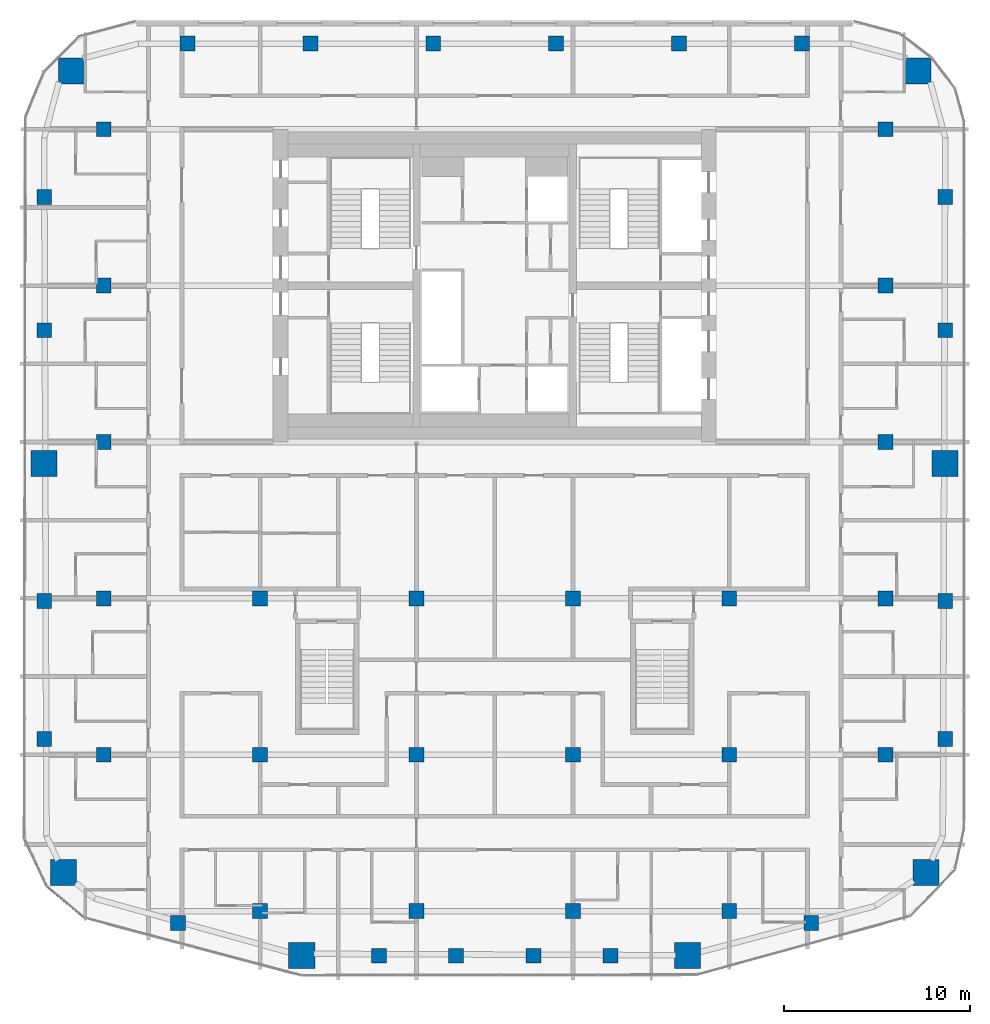
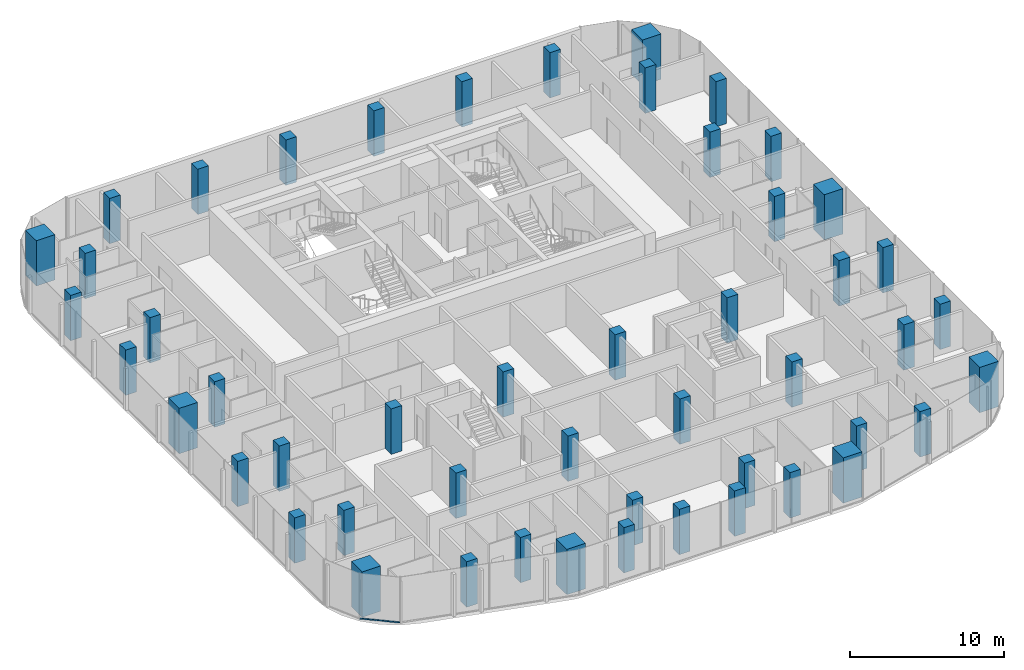
# One storey, part 1 of 22: 50 columns, 1 member, 1 element without a shape of its own.
"""IFC4 building model written with IfcOpenShell, lengths in metres."""

from ifc_helpers import new_model, si_unit, direction, frame, origin, origin_2d, place, context, subcontext, project, spatial, rectangle, extrude, material, layer, layer_set, material_profile, profile_set, type_object, element, aggregate, save


model = new_model("IFC4")

# Units and contexts
model_context = context("Model", 3, precision=1e-05, world=origin(), true_north=direction((0.0, 1.0)))
body_context = subcontext(model_context, "Body", "Model", "MODEL_VIEW")
ifc_project = project(units=[si_unit("LENGTHUNIT", "METRE"), si_unit("AREAUNIT", "SQUARE_METRE"), si_unit("VOLUMEUNIT", "CUBIC_METRE"), si_unit("PLANEANGLEUNIT", "RADIAN"), si_unit("MASSUNIT", "GRAM", prefix="KILO")], contexts=[model_context])

# Site, building, storey
site_placement = place(None, origin())
site = spatial("IfcSite", under=ifc_project, at=site_placement, CompositionType="ELEMENT")
building_placement = place(site_placement, origin())
building = spatial("IfcBuilding", under=site, at=building_placement, Name="Marenta Gate Hotel Tower", CompositionType="ELEMENT")
storey_placement = place(building_placement, frame((0.0, 0.0, 187.699951171875)))
storey = spatial("IfcBuildingStorey", under=building, at=storey_placement, Name="L42", CompositionType="ELEMENT", Elevation=187.699951171875)

# Columns
ifc_material_1 = material(Name="Concrete C60", Category="concrete")
ifc_material_profile_1 = material_profile(ifc_material_1, rectangle(XDim=0.800048828125, YDim=0.800048828125, at=origin_2d()), Name="800 x 800")
ifc_profile_set_1 = profile_set([ifc_material_profile_1], Name="Concrete C60")
column_type_1 = type_object("IfcColumnType", Name="Edge column 800 x 800 C60", PredefinedType="COLUMN", material=ifc_profile_set_1)
for number, where, z_axis, x_axis, name in (
    (1, (-24.199951171875, -15.951904296875, 0.0), (0.0, 0.0, 1.0), (1.0, 0.0, 0.0), "L42-EC-SW-W-1"),
    (2, (-24.199951171875, -8.55078125, 0.0), (0.0, 0.0, 1.0), (1.0, 0.0, 0.0), "L42-EC-SW-W-2"),
    (3, (-24.199951171875, 6.003173828125, 0.0), (0.0, 0.0, 1.0), (1.0, 0.0, 0.0), "L42-EC-W-NW-1"),
    (4, (-24.199951171875, 13.156494140625, 0.0), (0.0, 0.0, 1.0), (1.0, 0.0, 0.0), "L42-EC-W-NW-2"),
    (5, (-16.5068359375, 21.39990234375, 0.0), (0.0, 0.0, 1.0), (1.0, 0.0, 0.0), "L42-EC-NW-NE-1"),
    (6, (-9.904052734375, 21.39990234375, 0.0), (0.0, 0.0, 1.0), (1.0, 0.0, 0.0), "L42-EC-NW-NE-2"),
    (7, (-3.301513671875, 21.39990234375, 0.0), (0.0, 0.0, 1.0), (1.0, 0.0, 0.0), "L42-EC-NW-NE-3"),
    (8, (3.301513671875, 21.39990234375, 0.0), (0.0, 0.0, 1.0), (1.0, 0.0, 0.0), "L42-EC-NW-NE-4"),
    (9, (9.904052734375, 21.39990234375, 0.0), (0.0, 0.0, 1.0), (1.0, 0.0, 0.0), "L42-EC-NW-NE-5"),
    (10, (16.5068359375, 21.39990234375, 0.0), (0.0, 0.0, 1.0), (1.0, 0.0, 0.0), "L42-EC-NW-NE-6"),
    (11, (24.199951171875, 13.156494140625, 0.0), (0.0, 0.0, 1.0), (1.0, 0.0, 0.0), "L42-EC-NE-E-1"),
    (12, (24.199951171875, 6.003173828125, 0.0), (0.0, 0.0, 1.0), (1.0, 0.0, 0.0), "L42-EC-NE-E-2"),
    (13, (24.199951171875, -8.55078125, 0.0), (0.0, 0.0, 1.0), (1.0, 0.0, 0.0), "L42-EC-E-SE-1"),
    (14, (24.199951171875, -15.951904296875, 0.0), (0.0, 0.0, 1.0), (1.0, 0.0, 0.0), "L42-EC-E-SE-2"),
    (15, (17.0068359375, -25.839111328125, 0.0), (0.0, 0.0, 1.0), (1.0, 0.0, 0.0), "L42-EC-SE-SKE-1"),
    (16, (6.22021484375, -27.60009765625, 0.0), (0.0, 0.0, 1.0), (1.0, 0.0, 0.0), "L42-EC-SKE-SKW-1"),
    (17, (2.073486328125, -27.60009765625, 0.0), (0.0, 0.0, 1.0), (1.0, 0.0, 0.0), "L42-EC-SKE-SKW-2"),
    (18, (-2.073486328125, -27.60009765625, 0.0), (0.0, 0.0, 1.0), (1.0, 0.0, 0.0), "L42-EC-SKE-SKW-3"),
    (19, (-6.22021484375, -27.60009765625, 0.0), (0.0, 0.0, 1.0), (1.0, 0.0, 0.0), "L42-EC-SKE-SKW-4"),
    (20, (-17.0068359375, -25.839111328125, 0.0), (0.0, 0.0, 1.0), (1.0, 0.0, 0.0), "L42-EC-SKW-SW-1"),
):
    element("IfcColumn", number, at=place(storey_placement, frame(where, z_axis=z_axis, x_axis=x_axis)), inside=storey, type_object=column_type_1, Name=name, PredefinedType="COLUMN", context=body_context, shape_type="SweptSolid", body=[
        extrude(rectangle(XDim=0.800048828125, YDim=0.800048828125, at=origin_2d()), origin(), (0.0, 0.0, 1.0), 3.60009765625),
    ])
ifc_material_2 = material(Name="Concrete C60", Category="concrete")
ifc_material_profile_2 = material_profile(ifc_material_2, rectangle(XDim=0.800048828125, YDim=0.800048828125, at=origin_2d()), Name="800 x 800")
ifc_profile_set_2 = profile_set([ifc_material_profile_2], Name="Concrete C60")
column_type_2 = type_object("IfcColumnType", Name="Interior column 800 x 800 C60", PredefinedType="COLUMN", material=ifc_profile_set_2)
for number, where, z_axis, x_axis, name in (
    (21, (-21.0, -16.800048828125, 0.0), (0.0, 0.0, 1.0), (1.0, 0.0, 0.0), "L42-IC-4D"),
    (22, (-21.0, -8.39990234375, 0.0), (0.0, 0.0, 1.0), (1.0, 0.0, 0.0), "L42-IC-4E"),
    (23, (-21.0, 0.0, 0.0), (0.0, 0.0, 1.0), (1.0, 0.0, 0.0), "L42-IC-4F"),
    (24, (-21.0, 8.39990234375, 0.0), (0.0, 0.0, 1.0), (1.0, 0.0, 0.0), "L42-IC-4G"),
    (25, (-21.0, 16.800048828125, 0.0), (0.0, 0.0, 1.0), (1.0, 0.0, 0.0), "L42-IC-4H"),
    (26, (-12.60009765625, -25.199951171875, 0.0), (0.0, 0.0, 1.0), (1.0, 0.0, 0.0), "L42-IC-5C"),
    (27, (-12.60009765625, -16.800048828125, 0.0), (0.0, 0.0, 1.0), (1.0, 0.0, 0.0), "L42-IC-5D"),
    (28, (-12.60009765625, -8.39990234375, 0.0), (0.0, 0.0, 1.0), (1.0, 0.0, 0.0), "L42-IC-5E"),
    (29, (-4.199951171875, -25.199951171875, 0.0), (0.0, 0.0, 1.0), (1.0, 0.0, 0.0), "L42-IC-6C"),
    (30, (-4.199951171875, -16.800048828125, 0.0), (0.0, 0.0, 1.0), (1.0, 0.0, 0.0), "L42-IC-6D"),
    (31, (-4.199951171875, -8.39990234375, 0.0), (0.0, 0.0, 1.0), (1.0, 0.0, 0.0), "L42-IC-6E"),
    (32, (4.199951171875, -25.199951171875, 0.0), (0.0, 0.0, 1.0), (1.0, 0.0, 0.0), "L42-IC-7C"),
    (33, (4.199951171875, -16.800048828125, 0.0), (0.0, 0.0, 1.0), (1.0, 0.0, 0.0), "L42-IC-7D"),
    (34, (4.199951171875, -8.39990234375, 0.0), (0.0, 0.0, 1.0), (1.0, 0.0, 0.0), "L42-IC-7E"),
    (35, (12.60009765625, -25.199951171875, 0.0), (0.0, 0.0, 1.0), (1.0, 0.0, 0.0), "L42-IC-8C"),
    (36, (12.60009765625, -16.800048828125, 0.0), (0.0, 0.0, 1.0), (1.0, 0.0, 0.0), "L42-IC-8D"),
    (37, (12.60009765625, -8.39990234375, 0.0), (0.0, 0.0, 1.0), (1.0, 0.0, 0.0), "L42-IC-8E"),
    (38, (21.0, -16.800048828125, 0.0), (0.0, 0.0, 1.0), (1.0, 0.0, 0.0), "L42-IC-9D"),
    (39, (21.0, -8.39990234375, 0.0), (0.0, 0.0, 1.0), (1.0, 0.0, 0.0), "L42-IC-9E"),
    (40, (21.0, 0.0, 0.0), (0.0, 0.0, 1.0), (1.0, 0.0, 0.0), "L42-IC-9F"),
    (41, (21.0, 8.39990234375, 0.0), (0.0, 0.0, 1.0), (1.0, 0.0, 0.0), "L42-IC-9G"),
    (42, (21.0, 16.800048828125, 0.0), (0.0, 0.0, 1.0), (1.0, 0.0, 0.0), "L42-IC-9H"),
):
    element("IfcColumn", number, at=place(storey_placement, frame(where, z_axis=z_axis, x_axis=x_axis)), inside=storey, type_object=column_type_2, Name=name, PredefinedType="COLUMN", context=body_context, shape_type="SweptSolid", body=[
        extrude(rectangle(XDim=0.800048828125, YDim=0.800048828125, at=origin_2d()), origin(), (0.0, 0.0, 1.0), 3.60009765625),
    ])
ifc_material_3 = material(Name="Concrete C60", Category="concrete")
ifc_material_profile_3 = material_profile(ifc_material_3, rectangle(XDim=1.39990234375, YDim=1.39990234375, at=origin_2d()), Name="1400 x 1400")
ifc_profile_set_3 = profile_set([ifc_material_profile_3], Name="Concrete C60")
column_type_3 = type_object("IfcColumnType", Name="Mega column 1400 x 1400 C60", PredefinedType="COLUMN", material=ifc_profile_set_3)
for number, where, z_axis, x_axis, name in (
    (43, (-23.1630859375, -23.133056640625, 0.0), (0.0, 0.0, 1.0), (1.0, 0.0, 0.0), "L42-MC-SW"),
    (44, (-10.3662109375, -27.57470703125, 0.0), (0.0, 0.0, 1.0), (1.0, 0.0, 0.0), "L42-MC-SKW"),
    (45, (10.3662109375, -27.57470703125, 0.0), (0.0, 0.0, 1.0), (1.0, 0.0, 0.0), "L42-MC-SKE"),
    (46, (23.1630859375, -23.133056640625, 0.0), (0.0, 0.0, 1.0), (1.0, 0.0, 0.0), "L42-MC-SE"),
    (47, (24.199951171875, -1.14990234375, 0.0), (0.0, 0.0, 1.0), (1.0, 0.0, 0.0), "L42-MC-E"),
    (48, (22.735595703125, 19.935546875, 0.0), (0.0, 0.0, 1.0), (1.0, 0.0, 0.0), "L42-MC-NE"),
    (49, (-22.735595703125, 19.935546875, 0.0), (0.0, 0.0, 1.0), (1.0, 0.0, 0.0), "L42-MC-NW"),
    (50, (-24.199951171875, -1.14990234375, 0.0), (0.0, 0.0, 1.0), (1.0, 0.0, 0.0), "L42-MC-W"),
):
    element("IfcColumn", number, at=place(storey_placement, frame(where, z_axis=z_axis, x_axis=x_axis)), inside=storey, type_object=column_type_3, Name=name, PredefinedType="COLUMN", context=body_context, shape_type="SweptSolid", body=[
        extrude(rectangle(XDim=1.39990234375, YDim=1.39990234375, at=origin_2d()), origin(), (0.0, 0.0, 1.0), 3.60009765625),
    ])

# Curtain wall, member
ifc_material_4 = material(Name="Tinted insulated glass in bronze anodised frame", Category="glass")
ifc_layer = layer(ifc_material_4, 0.1201171875)
ifc_layer_set = layer_set([ifc_layer], Name="Tinted insulated glass in bronze anodised frame")
curtain_wall_type = type_object("IfcCurtainWallType", Name="Tower unitised curtain wall CW1", PredefinedType="NOTDEFINED", material=ifc_layer_set)
curtain_wall_placement = place(storey_placement, origin())
curtain_wall = element("IfcCurtainWall", 51, at=curtain_wall_placement, inside=storey, type_object=curtain_wall_type, Name="CW1 run G05", PredefinedType="NOTDEFINED")
ifc_material_5 = material(Name="Bronze anodised aluminium", Category="aluminium")
ifc_material_profile_4 = material_profile(ifc_material_5, rectangle(XDim=0.1201171875, YDim=0.06005859375, at=origin_2d()), Name="Transom CW1 60x120 bronze anodised aluminium")
ifc_profile_set_4 = profile_set([ifc_material_profile_4], Name="Bronze anodised aluminium")
member_type = type_object("IfcMemberType", Name="Transom CW1 60x120 bronze anodised aluminium", PredefinedType="USERDEFINED", material=ifc_profile_set_4)
member_placement = place(storey_placement, frame((-24.036865234375, -23.879150390625, 0.030029296875), z_axis=(0.767100312603, -0.641527170433, 0.0), x_axis=(0.641527170433, 0.767100312603, 0.0)))
member = element("IfcMember", 52, at=member_placement, type_object=member_type, Name="CW1 transom 1.1", ObjectType="TRANSOM", PredefinedType="USERDEFINED", context=body_context, shape_type="SweptSolid", body=[
    extrude(rectangle(XDim=0.1201171875, YDim=0.06005859375, at=origin_2d()), origin(), (0.0, 0.0, 1.0), 2.609130859375),
])
aggregate(curtain_wall, [member])

save(model, "model.ifc")
